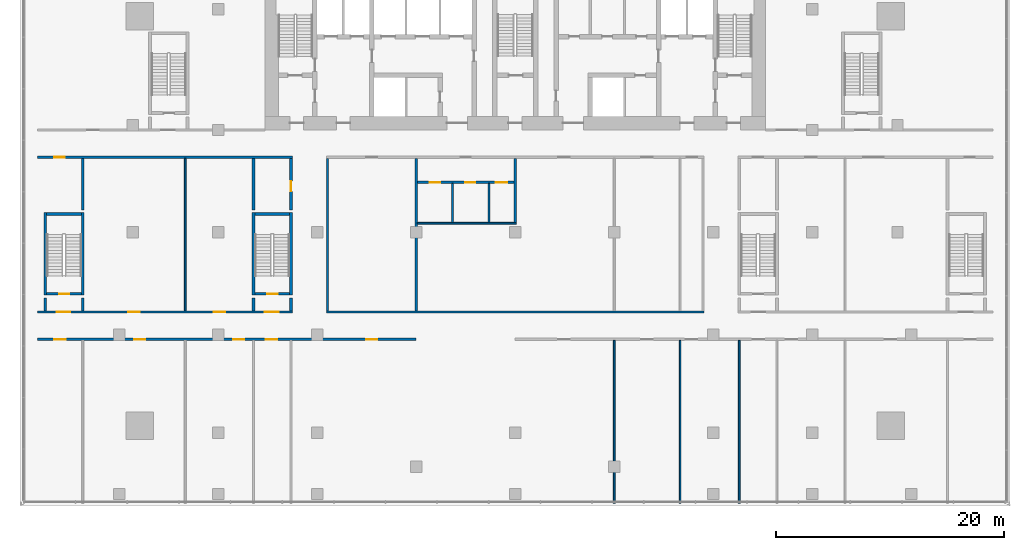
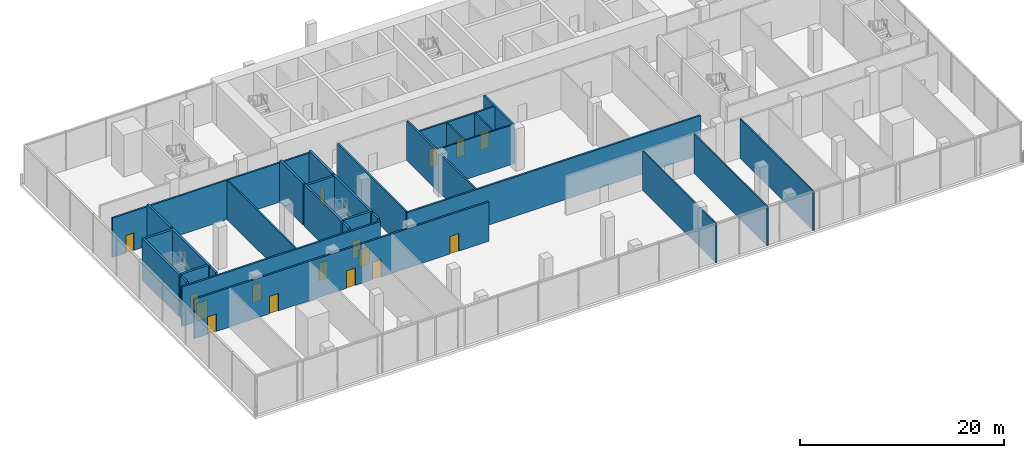
# One storey, part 11 of 20: 30 walls, 16 doors, 16 openings.
"""IFC4 building model written with IfcOpenShell, lengths in metres."""

from ifc_helpers import new_model, si_unit, direction, frame, frame_2d, origin, place, context, subcontext, project, spatial, rectangle, extrude, material, layer, layer_set, type_object, element, fill, save


model = new_model("IFC4")

# Units and contexts
model_context = context("Model", 3, precision=1e-05, world=origin(), true_north=direction((0.0, 1.0)))
body_context = subcontext(model_context, "Body", "Model", "MODEL_VIEW")
ifc_project = project(units=[si_unit("LENGTHUNIT", "METRE"), si_unit("AREAUNIT", "SQUARE_METRE"), si_unit("VOLUMEUNIT", "CUBIC_METRE"), si_unit("PLANEANGLEUNIT", "RADIAN"), si_unit("MASSUNIT", "GRAM", prefix="KILO")], contexts=[model_context])

# Site, building, storey
site_placement = place(None, origin())
site = spatial("IfcSite", under=ifc_project, at=site_placement, CompositionType="ELEMENT")
building_placement = place(site_placement, origin())
building = spatial("IfcBuilding", under=site, at=building_placement, Name="Bicima Exchange Tower", CompositionType="ELEMENT")
storey_placement = place(building_placement, frame((0.0, 0.0, 25.0)))
storey = spatial("IfcBuildingStorey", under=building, at=storey_placement, Name="L04", CompositionType="ELEMENT", Elevation=25.0)

# Wall, openings, doors
ifc_material_1 = material(Name="Gypsum board partition")
ifc_layer_1 = layer(ifc_material_1, 0.199951171875)
ifc_layer_set_1 = layer_set([ifc_layer_1], Name="Gypsum board partition")
wall_type_1 = type_object("IfcWallType", Name="Fire-rated gypsum partition 200 EI60", PredefinedType="PARTITIONING", material=ifc_layer_set_1)
wall_1_placement = place(storey_placement, frame((-42.0, -31.39990234375, 0.0), z_axis=(0.0, 0.0, 1.0), x_axis=(1.0, 0.0, 0.0)))
wall_1 = element("IfcWall", 1, at=wall_1_placement, inside=storey, type_object=wall_type_1, Name="partition wall 1", PredefinedType="PARTITIONING", context=body_context, shape_type="SweptSolid", body=[
    extrude(rectangle(XDim=33.300048828125, YDim=0.199951171875, at=frame_2d((16.64990234375, 0.0))), origin(), (0.0, 0.0, 1.0), 4.699951171875),
])
opening_1_placement = place(wall_1_placement, frame((1.5, 0.0, 0.0)))
opening_1 = element("IfcOpeningElement", 2, at=opening_1_placement, cuts=wall_1, Name="Opening L04-016", PredefinedType="OPENING", context=body_context, shape_type="SweptSolid", body=[
    extrude(rectangle(XDim=1.0, YDim=2.10009765625, at=frame_2d((0.5, 1.050048828125))), frame((0.0, 0.11181640625, 0.0), z_axis=(0.0, -1.0, 0.0), x_axis=(1.0, 0.0, 0.0)), (0.0, 0.0, 1.0), 0.223876953125),
])
opening_2_placement = place(wall_1_placement, frame((8.5, 0.0, 0.0)))
opening_2 = element("IfcOpeningElement", 3, at=opening_2_placement, cuts=wall_1, Name="Opening L04-018", PredefinedType="OPENING", context=body_context, shape_type="SweptSolid", body=[
    extrude(rectangle(XDim=1.0, YDim=2.10009765625, at=frame_2d((0.5, 1.050048828125))), frame((0.0, 0.11181640625, 0.0), z_axis=(0.0, -1.0, 0.0), x_axis=(1.0, 0.0, 0.0)), (0.0, 0.0, 1.0), 0.223876953125),
])
opening_3_placement = place(wall_1_placement, frame((17.199951171875, 0.0, 0.0)))
opening_3 = element("IfcOpeningElement", 4, at=opening_3_placement, cuts=wall_1, Name="Opening L04-020", PredefinedType="OPENING", context=body_context, shape_type="SweptSolid", body=[
    extrude(rectangle(XDim=1.0, YDim=2.10009765625, at=frame_2d((0.5, 1.050048828125))), frame((0.0, 0.11181640625, 0.0), z_axis=(0.0, -1.0, 0.0), x_axis=(1.0, 0.0, 0.0)), (0.0, 0.0, 1.0), 0.223876953125),
])
opening_4_placement = place(wall_1_placement, frame((20.10009765625, 0.0, 0.0)))
opening_4 = element("IfcOpeningElement", 5, at=opening_4_placement, cuts=wall_1, Name="Opening L04-022", PredefinedType="OPENING", context=body_context, shape_type="SweptSolid", body=[
    extrude(rectangle(XDim=1.0, YDim=2.10009765625, at=frame_2d((0.5, 1.050048828125))), frame((0.0, 0.11181640625, 0.0), z_axis=(0.0, -1.0, 0.0), x_axis=(1.0, 0.0, 0.0)), (0.0, 0.0, 1.0), 0.223876953125),
])
opening_5_placement = place(wall_1_placement, frame((28.89990234375, 0.0, 0.0)))
opening_5 = element("IfcOpeningElement", 6, at=opening_5_placement, cuts=wall_1, Name="Opening L04-024", PredefinedType="OPENING", context=body_context, shape_type="SweptSolid", body=[
    extrude(rectangle(XDim=1.0, YDim=2.10009765625, at=frame_2d((0.5, 1.050048828125))), frame((0.0, 0.11181640625, 0.0), z_axis=(0.0, -1.0, 0.0), x_axis=(1.0, 0.0, 0.0)), (0.0, 0.0, 1.0), 0.223876953125),
])
ifc_material_2 = material(Name="Steel fire door leaf", Category="steel")
door_type_1 = type_object("IfcDoorType", Name="Door 1000 swing FD30S", OperationType="SINGLE_SWING_LEFT", PredefinedType="DOOR", material=ifc_material_2)
door_1_placement = place(opening_1_placement, frame((1.0, 0.0, 0.0), z_axis=(0.0, 0.0, 1.0), x_axis=(-1.0, 0.0, 0.0)))
door_1 = element("IfcDoor", 7, at=door_1_placement, inside=storey, type_object=door_type_1, Name="Door", OperationType="SINGLE_SWING_LEFT", OverallHeight=2.10009765625, OverallWidth=1.0, PredefinedType="DOOR", context=body_context, shape_type="SweptSolid", body=[
    extrude(rectangle(XDim=1.0, YDim=2.10009765625, at=frame_2d((0.5, 1.050048828125))), frame((0.0, 0.02490234375, 0.0), z_axis=(0.0, -1.0, 0.0), x_axis=(1.0, 0.0, 0.0)), (0.0, 0.0, 1.0), 0.050048828125),
])
fill(opening_1, door_1)
door_2_placement = place(opening_2_placement, frame((1.0, 0.0, 0.0), z_axis=(0.0, 0.0, 1.0), x_axis=(-1.0, 0.0, 0.0)))
door_2 = element("IfcDoor", 8, at=door_2_placement, inside=storey, type_object=door_type_1, Name="Door", OperationType="SINGLE_SWING_RIGHT", OverallHeight=2.10009765625, OverallWidth=1.0, PredefinedType="DOOR", context=body_context, shape_type="SweptSolid", body=[
    extrude(rectangle(XDim=1.0, YDim=2.10009765625, at=frame_2d((0.5, 1.050048828125))), frame((0.0, 0.02490234375, 0.0), z_axis=(0.0, -1.0, 0.0), x_axis=(1.0, 0.0, 0.0)), (0.0, 0.0, 1.0), 0.050048828125),
])
fill(opening_2, door_2)
door_3_placement = place(opening_3_placement, frame((1.0, 0.0, 0.0), z_axis=(0.0, 0.0, 1.0), x_axis=(-1.0, 0.0, 0.0)))
door_3 = element("IfcDoor", 9, at=door_3_placement, inside=storey, type_object=door_type_1, Name="Door", OperationType="SINGLE_SWING_RIGHT", OverallHeight=2.10009765625, OverallWidth=1.0, PredefinedType="DOOR", context=body_context, shape_type="SweptSolid", body=[
    extrude(rectangle(XDim=1.0, YDim=2.10009765625, at=frame_2d((0.5, 1.050048828125))), frame((0.0, 0.02490234375, 0.0), z_axis=(0.0, -1.0, 0.0), x_axis=(1.0, 0.0, 0.0)), (0.0, 0.0, 1.0), 0.050048828125),
])
fill(opening_3, door_3)
door_4_placement = place(opening_4_placement, frame((1.0, 0.0, 0.0), z_axis=(0.0, 0.0, 1.0), x_axis=(-1.0, 0.0, 0.0)))
door_4 = element("IfcDoor", 10, at=door_4_placement, inside=storey, type_object=door_type_1, Name="Door", OperationType="SINGLE_SWING_LEFT", OverallHeight=2.10009765625, OverallWidth=1.0, PredefinedType="DOOR", context=body_context, shape_type="SweptSolid", body=[
    extrude(rectangle(XDim=1.0, YDim=2.10009765625, at=frame_2d((0.5, 1.050048828125))), frame((0.0, 0.02490234375, 0.0), z_axis=(0.0, -1.0, 0.0), x_axis=(1.0, 0.0, 0.0)), (0.0, 0.0, 1.0), 0.050048828125),
])
fill(opening_4, door_4)
door_5_placement = place(opening_5_placement, frame((1.0, 0.0, 0.0), z_axis=(0.0, 0.0, 1.0), x_axis=(-1.0, 0.0, 0.0)))
door_5 = element("IfcDoor", 11, at=door_5_placement, inside=storey, type_object=door_type_1, Name="Door", OperationType="SINGLE_SWING_RIGHT", OverallHeight=2.10009765625, OverallWidth=1.0, PredefinedType="DOOR", context=body_context, shape_type="SweptSolid", body=[
    extrude(rectangle(XDim=1.0, YDim=2.10009765625, at=frame_2d((0.5, 1.050048828125))), frame((0.0, 0.02490234375, 0.0), z_axis=(0.0, -1.0, 0.0), x_axis=(1.0, 0.0, 0.0)), (0.0, 0.0, 1.0), 0.050048828125),
])
fill(opening_5, door_5)

wall_2_placement = place(storey_placement, frame((-42.0, -29.0, 0.0), z_axis=(0.0, 0.0, 1.0), x_axis=(1.0, 0.0, 0.0)))
wall_2 = element("IfcWall", 12, at=wall_2_placement, inside=storey, type_object=wall_type_1, Name="partition wall 3", PredefinedType="PARTITIONING", context=body_context, shape_type="SweptSolid", body=[
    extrude(rectangle(XDim=22.425048828125, YDim=0.199951171875, at=frame_2d((11.21240234375, 0.0))), origin(), (0.0, 0.0, 1.0), 4.699951171875),
])
opening_6_placement = place(wall_2_placement, frame((1.699951171875, 0.0, 0.0)))
opening_6 = element("IfcOpeningElement", 13, at=opening_6_placement, cuts=wall_2, Name="Opening L04-001", PredefinedType="OPENING", context=body_context, shape_type="SweptSolid", body=[
    extrude(rectangle(XDim=1.199951171875, YDim=2.10009765625, at=frame_2d((0.60009765625, 1.050048828125))), frame((0.0, 0.11181640625, 0.0), z_axis=(0.0, -1.0, 0.0), x_axis=(1.0, 0.0, 0.0)), (0.0, 0.0, 1.0), 0.223876953125),
])
opening_7_placement = place(wall_2_placement, frame((20.0, 0.0, 0.0)))
opening_7 = element("IfcOpeningElement", 14, at=opening_7_placement, cuts=wall_2, Name="Opening L04-003", PredefinedType="OPENING", context=body_context, shape_type="SweptSolid", body=[
    extrude(rectangle(XDim=1.199951171875, YDim=2.10009765625, at=frame_2d((0.60009765625, 1.050048828125))), frame((0.0, 0.11181640625, 0.0), z_axis=(0.0, -1.0, 0.0), x_axis=(1.0, 0.0, 0.0)), (0.0, 0.0, 1.0), 0.223876953125),
])
opening_8_placement = place(wall_2_placement, frame((8.0, 0.0, 0.0)))
opening_8 = element("IfcOpeningElement", 15, at=opening_8_placement, cuts=wall_2, Name="Opening L04-017", PredefinedType="OPENING", context=body_context, shape_type="SweptSolid", body=[
    extrude(rectangle(XDim=1.0, YDim=2.10009765625, at=frame_2d((0.5, 1.050048828125))), frame((0.0, 0.11181640625, 0.0), z_axis=(0.0, -1.0, 0.0), x_axis=(1.0, 0.0, 0.0)), (0.0, 0.0, 1.0), 0.223876953125),
])
opening_9_placement = place(wall_2_placement, frame((15.5, 0.0, 0.0)))
opening_9 = element("IfcOpeningElement", 16, at=opening_9_placement, cuts=wall_2, Name="Opening L04-019", PredefinedType="OPENING", context=body_context, shape_type="SweptSolid", body=[
    extrude(rectangle(XDim=1.0, YDim=2.10009765625, at=frame_2d((0.5, 1.050048828125))), frame((0.0, 0.11181640625, 0.0), z_axis=(0.0, -1.0, 0.0), x_axis=(1.0, 0.0, 0.0)), (0.0, 0.0, 1.0), 0.223876953125),
])
door_6_placement = place(opening_8_placement, origin())
door_6 = element("IfcDoor", 17, at=door_6_placement, inside=storey, type_object=door_type_1, Name="Door", OperationType="SINGLE_SWING_LEFT", OverallHeight=2.10009765625, OverallWidth=1.0, PredefinedType="DOOR", context=body_context, shape_type="SweptSolid", body=[
    extrude(rectangle(XDim=1.0, YDim=2.10009765625, at=frame_2d((0.5, 1.050048828125))), frame((0.0, 0.02490234375, 0.0), z_axis=(0.0, -1.0, 0.0), x_axis=(1.0, 0.0, 0.0)), (0.0, 0.0, 1.0), 0.050048828125),
])
fill(opening_8, door_6)
door_7_placement = place(opening_9_placement, origin())
door_7 = element("IfcDoor", 18, at=door_7_placement, inside=storey, type_object=door_type_1, Name="Door", OperationType="SINGLE_SWING_LEFT", OverallHeight=2.10009765625, OverallWidth=1.0, PredefinedType="DOOR", context=body_context, shape_type="SweptSolid", body=[
    extrude(rectangle(XDim=1.0, YDim=2.10009765625, at=frame_2d((0.5, 1.050048828125))), frame((0.0, 0.02490234375, 0.0), z_axis=(0.0, -1.0, 0.0), x_axis=(1.0, 0.0, 0.0)), (0.0, 0.0, 1.0), 0.050048828125),
])
fill(opening_9, door_7)
door_type_2 = type_object("IfcDoorType", Name="Door 1200 swing FD30S", OperationType="SINGLE_SWING_LEFT", PredefinedType="DOOR", material=ifc_material_2)
door_8_placement = place(opening_6_placement, origin())
door_8 = element("IfcDoor", 19, at=door_8_placement, inside=storey, type_object=door_type_2, Name="Door", OperationType="SINGLE_SWING_LEFT", OverallHeight=2.10009765625, OverallWidth=1.199951171875, PredefinedType="DOOR", context=body_context, shape_type="SweptSolid", body=[
    extrude(rectangle(XDim=1.199951171875, YDim=2.10009765625, at=frame_2d((0.60009765625, 1.050048828125))), frame((0.0, 0.02490234375, 0.0), z_axis=(0.0, -1.0, 0.0), x_axis=(1.0, 0.0, 0.0)), (0.0, 0.0, 1.0), 0.050048828125),
])
fill(opening_6, door_8)
door_9_placement = place(opening_7_placement, origin())
door_9 = element("IfcDoor", 20, at=door_9_placement, inside=storey, type_object=door_type_2, Name="Door", OperationType="SINGLE_SWING_RIGHT", OverallHeight=2.10009765625, OverallWidth=1.199951171875, PredefinedType="DOOR", context=body_context, shape_type="SweptSolid", body=[
    extrude(rectangle(XDim=1.199951171875, YDim=2.10009765625, at=frame_2d((0.60009765625, 1.050048828125))), frame((0.0, 0.02490234375, 0.0), z_axis=(0.0, -1.0, 0.0), x_axis=(1.0, 0.0, 0.0)), (0.0, 0.0, 1.0), 0.050048828125),
])
fill(opening_7, door_9)

# Wall
wall_3_placement = place(storey_placement, frame((-16.60009765625, -29.0, 0.0), z_axis=(0.0, 0.0, 1.0), x_axis=(1.0, 0.0, 0.0)))
element("IfcWall", 21, at=wall_3_placement, inside=storey, type_object=wall_type_1, Name="partition wall 4", PredefinedType="PARTITIONING", context=body_context, shape_type="SweptSolid", body=[
    extrude(rectangle(XDim=33.2001953125, YDim=0.199951171875, at=frame_2d((16.60009765625, 0.0))), origin(), (0.0, 0.0, 1.0), 4.699951171875),
])

# Wall, openings, doors
wall_4_placement = place(storey_placement, frame((-8.60009765625, -17.60009765625, 0.0), z_axis=(0.0, 0.0, 1.0), x_axis=(1.0, 0.0, 0.0)))
wall_4 = element("IfcWall", 22, at=wall_4_placement, inside=storey, type_object=wall_type_1, Name="partition wall 15", PredefinedType="PARTITIONING", context=body_context, shape_type="SweptSolid", body=[
    extrude(rectangle(XDim=8.5, YDim=0.199951171875, at=frame_2d((4.25, 0.0))), origin(), (0.0, 0.0, 1.0), 4.699951171875),
])
opening_10_placement = place(wall_4_placement, frame((1.10009765625, 0.0, 0.0)))
opening_10 = element("IfcOpeningElement", 23, at=opening_10_placement, cuts=wall_4, Name="Opening L04-026", PredefinedType="OPENING", context=body_context, shape_type="SweptSolid", body=[
    extrude(rectangle(XDim=0.89990234375, YDim=2.10009765625, at=frame_2d((0.449951171875, 1.050048828125))), frame((0.0, 0.11181640625, 0.0), z_axis=(0.0, -1.0, 0.0), x_axis=(1.0, 0.0, 0.0)), (0.0, 0.0, 1.0), 0.223876953125),
])
opening_11_placement = place(wall_4_placement, frame((4.199951171875, 0.0, 0.0)))
opening_11 = element("IfcOpeningElement", 24, at=opening_11_placement, cuts=wall_4, Name="Opening L04-027", PredefinedType="OPENING", context=body_context, shape_type="SweptSolid", body=[
    extrude(rectangle(XDim=0.89990234375, YDim=2.10009765625, at=frame_2d((0.449951171875, 1.050048828125))), frame((0.0, 0.11181640625, 0.0), z_axis=(0.0, -1.0, 0.0), x_axis=(1.0, 0.0, 0.0)), (0.0, 0.0, 1.0), 0.223876953125),
])
opening_12_placement = place(wall_4_placement, frame((6.89990234375, 0.0, 0.0)))
opening_12 = element("IfcOpeningElement", 25, at=opening_12_placement, cuts=wall_4, Name="Opening L04-028", PredefinedType="OPENING", context=body_context, shape_type="SweptSolid", body=[
    extrude(rectangle(XDim=1.0, YDim=2.10009765625, at=frame_2d((0.5, 1.050048828125))), frame((0.0, 0.11181640625, 0.0), z_axis=(0.0, -1.0, 0.0), x_axis=(1.0, 0.0, 0.0)), (0.0, 0.0, 1.0), 0.223876953125),
])
door_10_placement = place(opening_12_placement, frame((1.0, 0.0, 0.0), z_axis=(0.0, 0.0, 1.0), x_axis=(-1.0, 0.0, 0.0)))
door_10 = element("IfcDoor", 26, at=door_10_placement, inside=storey, type_object=door_type_1, Name="Door", OperationType="SINGLE_SWING_LEFT", OverallHeight=2.10009765625, OverallWidth=1.0, PredefinedType="DOOR", context=body_context, shape_type="SweptSolid", body=[
    extrude(rectangle(XDim=1.0, YDim=2.10009765625, at=frame_2d((0.5, 1.050048828125))), frame((0.0, 0.02490234375, 0.0), z_axis=(0.0, -1.0, 0.0), x_axis=(1.0, 0.0, 0.0)), (0.0, 0.0, 1.0), 0.050048828125),
])
fill(opening_12, door_10)
door_type_3 = type_object("IfcDoorType", Name="Door 900 swing FD30S", OperationType="SINGLE_SWING_LEFT", PredefinedType="DOOR", material=ifc_material_2)
door_11_placement = place(opening_10_placement, frame((0.89990234375, 0.0, 0.0), z_axis=(0.0, 0.0, 1.0), x_axis=(-1.0, 0.0, 0.0)))
door_11 = element("IfcDoor", 27, at=door_11_placement, inside=storey, type_object=door_type_3, Name="Door", OperationType="SINGLE_SWING_RIGHT", OverallHeight=2.10009765625, OverallWidth=0.89990234375, PredefinedType="DOOR", context=body_context, shape_type="SweptSolid", body=[
    extrude(rectangle(XDim=0.89990234375, YDim=2.10009765625, at=frame_2d((0.449951171875, 1.050048828125))), frame((0.0, 0.02490234375, 0.0), z_axis=(0.0, -1.0, 0.0), x_axis=(1.0, 0.0, 0.0)), (0.0, 0.0, 1.0), 0.050048828125),
])
fill(opening_10, door_11)
door_12_placement = place(opening_11_placement, frame((0.89990234375, 0.0, 0.0), z_axis=(0.0, 0.0, 1.0), x_axis=(-1.0, 0.0, 0.0)))
door_12 = element("IfcDoor", 28, at=door_12_placement, inside=storey, type_object=door_type_3, Name="Door", OperationType="SINGLE_SWING_RIGHT", OverallHeight=2.10009765625, OverallWidth=0.89990234375, PredefinedType="DOOR", context=body_context, shape_type="SweptSolid", body=[
    extrude(rectangle(XDim=0.89990234375, YDim=2.10009765625, at=frame_2d((0.449951171875, 1.050048828125))), frame((0.0, 0.02490234375, 0.0), z_axis=(0.0, -1.0, 0.0), x_axis=(1.0, 0.0, 0.0)), (0.0, 0.0, 1.0), 0.050048828125),
])
fill(opening_11, door_12)

# Wall, opening, door
wall_5_placement = place(storey_placement, frame((-42.0, -15.39990234375, 0.0), z_axis=(0.0, 0.0, 1.0), x_axis=(1.0, 0.0, 0.0)))
wall_5 = element("IfcWall", 29, at=wall_5_placement, inside=storey, type_object=wall_type_1, Name="partition wall 16", PredefinedType="PARTITIONING", context=body_context, shape_type="SweptSolid", body=[
    extrude(rectangle(XDim=22.425048828125, YDim=0.199951171875, at=frame_2d((11.21240234375, 0.0))), origin(), (0.0, 0.0, 1.0), 4.699951171875),
])
opening_13_placement = place(wall_5_placement, frame((1.5, 0.0, 0.0)))
opening_13 = element("IfcOpeningElement", 30, at=opening_13_placement, cuts=wall_5, Name="Opening L04-015", PredefinedType="OPENING", context=body_context, shape_type="SweptSolid", body=[
    extrude(rectangle(XDim=0.89990234375, YDim=2.10009765625, at=frame_2d((0.449951171875, 1.050048828125))), frame((0.0, 0.11181640625, 0.0), z_axis=(0.0, -1.0, 0.0), x_axis=(1.0, 0.0, 0.0)), (0.0, 0.0, 1.0), 0.223876953125),
])
door_13_placement = place(opening_13_placement, frame((0.89990234375, 0.0, 0.0), z_axis=(0.0, 0.0, 1.0), x_axis=(-1.0, 0.0, 0.0)))
door_13 = element("IfcDoor", 31, at=door_13_placement, inside=storey, type_object=door_type_3, Name="Door", OperationType="SINGLE_SWING_RIGHT", OverallHeight=2.10009765625, OverallWidth=0.89990234375, PredefinedType="DOOR", context=body_context, shape_type="SweptSolid", body=[
    extrude(rectangle(XDim=0.89990234375, YDim=2.10009765625, at=frame_2d((0.449951171875, 1.050048828125))), frame((0.0, 0.02490234375, 0.0), z_axis=(0.0, -1.0, 0.0), x_axis=(1.0, 0.0, 0.0)), (0.0, 0.0, 1.0), 0.050048828125),
])
fill(opening_13, door_13)

# Walls
for number, where, z_axis, x_axis, name in (
    (32, (-16.5, -28.89990234375, 0.0), (0.0, 0.0, 1.0), (0.0, 1.0, 0.0), "partition wall 38"),
    (33, (-8.699951171875, -28.89990234375, 0.0), (0.0, 0.0, 1.0), (0.0, 1.0, 0.0), "partition wall 39"),
):
    element("IfcWall", number, at=place(storey_placement, frame(where, z_axis=z_axis, x_axis=x_axis)), inside=storey, type_object=wall_type_1, Name=name, PredefinedType="PARTITIONING", context=body_context, shape_type="SweptSolid", body=[
        extrude(rectangle(XDim=13.39990234375, YDim=0.199951171875, at=frame_2d((6.699951171875, 0.0))), origin(), (0.0, 0.0, 1.0), 4.699951171875),
    ])
wall_6_placement = place(storey_placement, frame((0.0, -21.125, 0.0), z_axis=(0.0, 0.0, 1.0), x_axis=(0.0, 1.0, 0.0)))
element("IfcWall", 34, at=wall_6_placement, inside=storey, type_object=wall_type_1, Name="partition wall 42", PredefinedType="PARTITIONING", context=body_context, shape_type="SweptSolid", body=[
    extrude(rectangle(XDim=5.625, YDim=0.199951171875, at=frame_2d((2.8125, 0.0))), origin(), (0.0, 0.0, 1.0), 4.699951171875),
])
ifc_layer_2 = layer(ifc_material_1, 0.14990234375)
ifc_layer_set_2 = layer_set([ifc_layer_2], Name="Gypsum board partition")
wall_type_2 = type_object("IfcWallType", Name="Gypsum partition 150", PredefinedType="PARTITIONING", material=ifc_layer_set_2)
wall_7_placement = place(storey_placement, frame((-8.60009765625, -21.199951171875, 0.0), z_axis=(0.0, 0.0, 1.0), x_axis=(1.0, 0.0, 0.0)))
element("IfcWall", 35, at=wall_7_placement, inside=storey, type_object=wall_type_2, Name="partition wall 10", PredefinedType="PARTITIONING", context=body_context, shape_type="SweptSolid", body=[
    extrude(rectangle(XDim=8.7001953125, YDim=0.14990234375, at=frame_2d((4.35009765625, 0.0))), origin(), (0.0, 0.0, 1.0), 4.699951171875),
])
wall_8_placement = place(storey_placement, frame((-29.0, -28.89990234375, 0.0), z_axis=(0.0, 0.0, 1.0), x_axis=(0.0, 1.0, 0.0)))
element("IfcWall", 36, at=wall_8_placement, inside=storey, type_object=wall_type_2, Name="partition wall 32", PredefinedType="PARTITIONING", context=body_context, shape_type="SweptSolid", body=[
    extrude(rectangle(XDim=13.39990234375, YDim=0.14990234375, at=frame_2d((6.699951171875, 0.0))), origin(), (0.0, 0.0, 1.0), 4.699951171875),
])
for number, where, z_axis, x_axis, name in (
    (37, (-5.5, -21.125, 0.0), (0.0, 0.0, 1.0), (0.0, 1.0, 0.0), "partition wall 40"),
    (38, (-2.300048828125, -21.125, 0.0), (0.0, 0.0, 1.0), (0.0, 1.0, 0.0), "partition wall 41"),
):
    element("IfcWall", number, at=place(storey_placement, frame(where, z_axis=z_axis, x_axis=x_axis)), inside=storey, type_object=wall_type_2, Name=name, PredefinedType="PARTITIONING", context=body_context, shape_type="SweptSolid", body=[
        extrude(rectangle(XDim=3.425048828125, YDim=0.14990234375, at=frame_2d((1.71240234375, 0.0))), origin(), (0.0, 0.0, 1.0), 4.699951171875),
    ])
for number, where, z_axis, x_axis, name in (
    (39, (8.699951171875, -45.7900390625, 0.0), (0.0, 0.0, 1.0), (0.0, 1.0, 0.0), "partition wall 43"),
    (40, (14.5, -45.7900390625, 0.0), (0.0, 0.0, 1.0), (0.0, 1.0, 0.0), "partition wall 45"),
    (41, (19.699951171875, -45.7900390625, 0.0), (0.0, 0.0, 1.0), (0.0, 1.0, 0.0), "partition wall 48"),
):
    element("IfcWall", number, at=place(storey_placement, frame(where, z_axis=z_axis, x_axis=x_axis)), inside=storey, type_object=wall_type_2, Name=name, PredefinedType="PARTITIONING", context=body_context, shape_type="SweptSolid", body=[
        extrude(rectangle(XDim=14.2900390625, YDim=0.14990234375, at=frame_2d((7.14501953125, 0.0))), origin(), (0.0, 0.0, 1.0), 4.699951171875),
    ])
ifc_material_3 = material(Name="Concrete C50/60", Category="concrete")
ifc_layer_3 = layer(ifc_material_3, 0.25)
ifc_layer_set_3 = layer_set([ifc_layer_3], Name="Concrete C50/60")
wall_type_3 = type_object("IfcWallType", Name="RC core wall 250 C50/60", PredefinedType="SHEAR", material=ifc_layer_set_3)
for number, where, z_axis, x_axis, name in (
    (42, (-41.300048828125, -28.89990234375, 0.0), (0.0, 0.0, 1.0), (0.0, 1.0, 0.0), "stair wall 27"),
    (43, (-38.0, -28.89990234375, 0.0), (0.0, 0.0, 1.0), (0.0, 1.0, 0.0), "stair wall 29"),
):
    element("IfcWall", number, at=place(storey_placement, frame(where, z_axis=z_axis, x_axis=x_axis)), inside=storey, type_object=wall_type_3, Name=name, PredefinedType="SHEAR", context=body_context, shape_type="SweptSolid", body=[
        extrude(rectangle(XDim=1.14990234375, YDim=0.25, at=frame_2d((0.574951171875, 0.0))), origin(), (0.0, 0.0, 1.0), 5.0),
    ])
wall_9_placement = place(storey_placement, frame((-38.0, -20.050048828125, 0.0), z_axis=(0.0, 0.0, 1.0), x_axis=(0.0, 1.0, 0.0)))
element("IfcWall", 44, at=wall_9_placement, inside=storey, type_object=wall_type_3, Name="stair wall 29", PredefinedType="SHEAR", context=body_context, shape_type="SweptSolid", body=[
    extrude(rectangle(XDim=4.550048828125, YDim=0.25, at=frame_2d((2.27490234375, 0.0))), origin(), (0.0, 0.0, 1.0), 5.0),
])
wall_10_placement = place(storey_placement, frame((-23.0, -28.89990234375, 0.0), z_axis=(0.0, 0.0, 1.0), x_axis=(0.0, 1.0, 0.0)))
element("IfcWall", 45, at=wall_10_placement, inside=storey, type_object=wall_type_3, Name="stair wall 35", PredefinedType="SHEAR", context=body_context, shape_type="SweptSolid", body=[
    extrude(rectangle(XDim=1.14990234375, YDim=0.25, at=frame_2d((0.574951171875, 0.0))), origin(), (0.0, 0.0, 1.0), 5.0),
])
wall_11_placement = place(storey_placement, frame((-23.0, -20.050048828125, 0.0), z_axis=(0.0, 0.0, 1.0), x_axis=(0.0, 1.0, 0.0)))
element("IfcWall", 46, at=wall_11_placement, inside=storey, type_object=wall_type_3, Name="stair wall 35", PredefinedType="SHEAR", context=body_context, shape_type="SweptSolid", body=[
    extrude(rectangle(XDim=4.550048828125, YDim=0.25, at=frame_2d((2.27490234375, 0.0))), origin(), (0.0, 0.0, 1.0), 5.0),
])
wall_12_placement = place(storey_placement, frame((-19.699951171875, -28.89990234375, 0.0), z_axis=(0.0, 0.0, 1.0), x_axis=(0.0, 1.0, 0.0)))
element("IfcWall", 47, at=wall_12_placement, inside=storey, type_object=wall_type_3, Name="stair wall 37", PredefinedType="SHEAR", context=body_context, shape_type="SweptSolid", body=[
    extrude(rectangle(XDim=1.14990234375, YDim=0.25, at=frame_2d((0.574951171875, 0.0))), origin(), (0.0, 0.0, 1.0), 5.0),
])

# Wall, opening, door
wall_13_placement = place(storey_placement, frame((-19.699951171875, -20.050048828125, 0.0), z_axis=(0.0, 0.0, 1.0), x_axis=(0.0, 1.0, 0.0)))
wall_13 = element("IfcWall", 48, at=wall_13_placement, inside=storey, type_object=wall_type_3, Name="stair wall 37", PredefinedType="SHEAR", context=body_context, shape_type="SweptSolid", body=[
    extrude(rectangle(XDim=4.550048828125, YDim=0.25, at=frame_2d((2.27490234375, 0.0))), origin(), (0.0, 0.0, 1.0), 5.0),
])
opening_14_placement = place(wall_13_placement, frame((1.64990234375, 0.0, 0.0)))
opening_14 = element("IfcOpeningElement", 49, at=opening_14_placement, cuts=wall_13, Name="Opening L04-021", PredefinedType="OPENING", context=body_context, shape_type="SweptSolid", body=[
    extrude(rectangle(XDim=0.89990234375, YDim=2.10009765625, at=frame_2d((0.449951171875, 1.050048828125))), frame((0.0, 0.136962890625, 0.0), z_axis=(0.0, -1.0, 0.0), x_axis=(1.0, 0.0, 0.0)), (0.0, 0.0, 1.0), 0.27392578125),
])
door_type_4 = type_object("IfcDoorType", Name="Door 900 swing FD60S", OperationType="SINGLE_SWING_LEFT", PredefinedType="DOOR", material=ifc_material_2)
door_14_placement = place(opening_14_placement, origin())
door_14 = element("IfcDoor", 50, at=door_14_placement, inside=storey, type_object=door_type_4, Name="Door", OperationType="SINGLE_SWING_RIGHT", OverallHeight=2.10009765625, OverallWidth=0.89990234375, PredefinedType="DOOR", context=body_context, shape_type="SweptSolid", body=[
    extrude(rectangle(XDim=0.89990234375, YDim=2.10009765625, at=frame_2d((0.449951171875, 1.050048828125))), frame((0.0, 0.02490234375, 0.0), z_axis=(0.0, -1.0, 0.0), x_axis=(1.0, 0.0, 0.0)), (0.0, 0.0, 1.0), 0.050048828125),
])
fill(opening_14, door_14)

# Walls
ifc_layer_4 = layer(ifc_material_3, 0.25)
ifc_layer_set_4 = layer_set([ifc_layer_4], Name="Concrete C50/60")
wall_type_4 = type_object("IfcWallType", Name="RC stair enclosure wall 250 C50/60", PredefinedType="SHEAR", material=ifc_layer_set_4)
for number, where, z_axis, x_axis, name in (
    (51, (-41.300048828125, -27.52490234375, 0.0), (0.0, 0.0, 1.0), (0.0, 1.0, 0.0), "Podium west stair wall W"),
    (52, (-38.0, -27.52490234375, 0.0), (0.0, 0.0, 1.0), (0.0, 1.0, 0.0), "Podium west stair wall E"),
):
    element("IfcWall", number, at=place(storey_placement, frame(where, z_axis=z_axis, x_axis=x_axis)), inside=storey, type_object=wall_type_4, Name=name, PredefinedType="SHEAR", context=body_context, shape_type="SweptSolid", body=[
        extrude(rectangle(XDim=7.25, YDim=0.25, at=frame_2d((3.625, 0.0))), origin(), (0.0, 0.0, 1.0), 5.0),
    ])

# Wall, opening, door
wall_14_placement = place(storey_placement, frame((-41.175048828125, -27.39990234375, 0.0), z_axis=(0.0, 0.0, 1.0), x_axis=(1.0, 0.0, 0.0)))
wall_14 = element("IfcWall", 53, at=wall_14_placement, inside=storey, type_object=wall_type_4, Name="Podium west stair wall S", PredefinedType="SHEAR", context=body_context, shape_type="SweptSolid", body=[
    extrude(rectangle(XDim=3.050048828125, YDim=0.25, at=frame_2d((1.52490234375, 0.0))), origin(), (0.0, 0.0, 1.0), 5.0),
])
opening_15_placement = place(wall_14_placement, frame((1.10009765625, 0.0, 0.0)))
opening_15 = element("IfcOpeningElement", 54, at=opening_15_placement, cuts=wall_14, Name="Opening L04-002", PredefinedType="OPENING", context=body_context, shape_type="SweptSolid", body=[
    extrude(rectangle(XDim=0.89990234375, YDim=2.10009765625, at=frame_2d((0.449951171875, 1.050048828125))), frame((0.0, 0.136962890625, 0.0), z_axis=(0.0, -1.0, 0.0), x_axis=(1.0, 0.0, 0.0)), (0.0, 0.0, 1.0), 0.27392578125),
])
door_15_placement = place(opening_15_placement, origin())
door_15 = element("IfcDoor", 55, at=door_15_placement, inside=storey, type_object=door_type_4, Name="Door", OperationType="SINGLE_SWING_LEFT", OverallHeight=2.10009765625, OverallWidth=0.89990234375, PredefinedType="DOOR", context=body_context, shape_type="SweptSolid", body=[
    extrude(rectangle(XDim=0.89990234375, YDim=2.10009765625, at=frame_2d((0.449951171875, 1.050048828125))), frame((0.0, 0.02490234375, 0.0), z_axis=(0.0, -1.0, 0.0), x_axis=(1.0, 0.0, 0.0)), (0.0, 0.0, 1.0), 0.050048828125),
])
fill(opening_15, door_15)

# Walls
wall_15_placement = place(storey_placement, frame((-41.175048828125, -20.39990234375, 0.0), z_axis=(0.0, 0.0, 1.0), x_axis=(1.0, 0.0, 0.0)))
element("IfcWall", 56, at=wall_15_placement, inside=storey, type_object=wall_type_4, Name="Podium west stair wall N", PredefinedType="SHEAR", context=body_context, shape_type="SweptSolid", body=[
    extrude(rectangle(XDim=3.050048828125, YDim=0.25, at=frame_2d((1.52490234375, 0.0))), origin(), (0.0, 0.0, 1.0), 5.0),
])
for number, where, z_axis, x_axis, name in (
    (57, (-23.0, -27.52490234375, 0.0), (0.0, 0.0, 1.0), (0.0, 1.0, 0.0), "Podium inner west stair wall W"),
    (58, (-19.699951171875, -27.52490234375, 0.0), (0.0, 0.0, 1.0), (0.0, 1.0, 0.0), "Podium inner west stair wall E"),
):
    element("IfcWall", number, at=place(storey_placement, frame(where, z_axis=z_axis, x_axis=x_axis)), inside=storey, type_object=wall_type_4, Name=name, PredefinedType="SHEAR", context=body_context, shape_type="SweptSolid", body=[
        extrude(rectangle(XDim=7.25, YDim=0.25, at=frame_2d((3.625, 0.0))), origin(), (0.0, 0.0, 1.0), 5.0),
    ])

# Wall, opening, door
wall_16_placement = place(storey_placement, frame((-22.875, -27.39990234375, 0.0), z_axis=(0.0, 0.0, 1.0), x_axis=(1.0, 0.0, 0.0)))
wall_16 = element("IfcWall", 59, at=wall_16_placement, inside=storey, type_object=wall_type_4, Name="Podium inner west stair wall S", PredefinedType="SHEAR", context=body_context, shape_type="SweptSolid", body=[
    extrude(rectangle(XDim=3.050048828125, YDim=0.25, at=frame_2d((1.52490234375, 0.0))), origin(), (0.0, 0.0, 1.0), 5.0),
])
opening_16_placement = place(wall_16_placement, frame((1.10009765625, 0.0, 0.0)))
opening_16 = element("IfcOpeningElement", 60, at=opening_16_placement, cuts=wall_16, Name="Opening L04-004", PredefinedType="OPENING", context=body_context, shape_type="SweptSolid", body=[
    extrude(rectangle(XDim=0.89990234375, YDim=2.10009765625, at=frame_2d((0.449951171875, 1.050048828125))), frame((0.0, 0.136962890625, 0.0), z_axis=(0.0, -1.0, 0.0), x_axis=(1.0, 0.0, 0.0)), (0.0, 0.0, 1.0), 0.27392578125),
])
door_16_placement = place(opening_16_placement, origin())
door_16 = element("IfcDoor", 61, at=door_16_placement, inside=storey, type_object=door_type_4, Name="Door", OperationType="SINGLE_SWING_LEFT", OverallHeight=2.10009765625, OverallWidth=0.89990234375, PredefinedType="DOOR", context=body_context, shape_type="SweptSolid", body=[
    extrude(rectangle(XDim=0.89990234375, YDim=2.10009765625, at=frame_2d((0.449951171875, 1.050048828125))), frame((0.0, 0.02490234375, 0.0), z_axis=(0.0, -1.0, 0.0), x_axis=(1.0, 0.0, 0.0)), (0.0, 0.0, 1.0), 0.050048828125),
])
fill(opening_16, door_16)

# Wall
wall_17_placement = place(storey_placement, frame((-22.875, -20.39990234375, 0.0), z_axis=(0.0, 0.0, 1.0), x_axis=(1.0, 0.0, 0.0)))
element("IfcWall", 62, at=wall_17_placement, inside=storey, type_object=wall_type_4, Name="Podium inner west stair wall N", PredefinedType="SHEAR", context=body_context, shape_type="SweptSolid", body=[
    extrude(rectangle(XDim=3.050048828125, YDim=0.25, at=frame_2d((1.52490234375, 0.0))), origin(), (0.0, 0.0, 1.0), 5.0),
])

save(model, "model.ifc")
